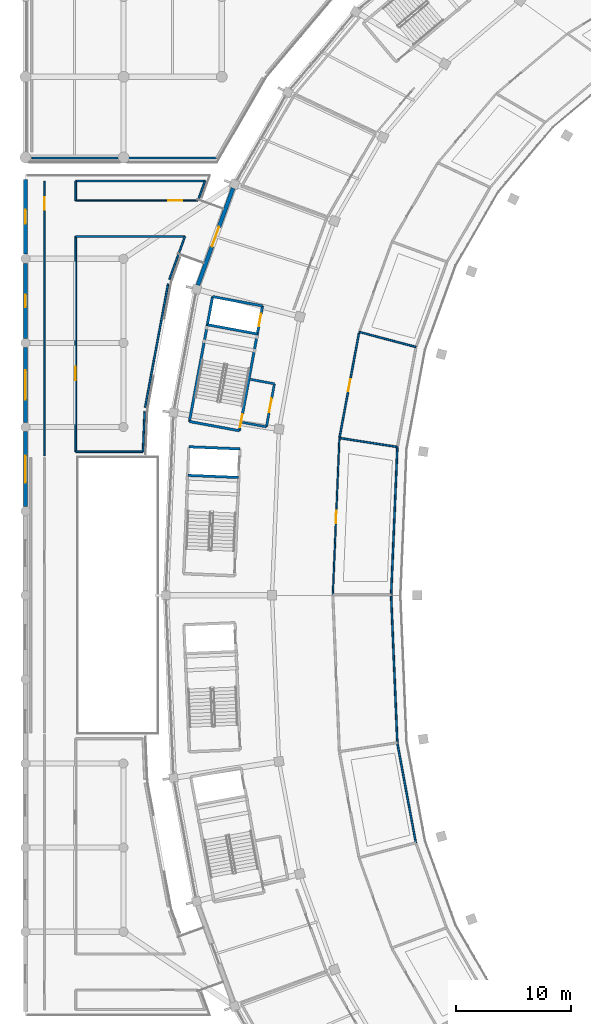
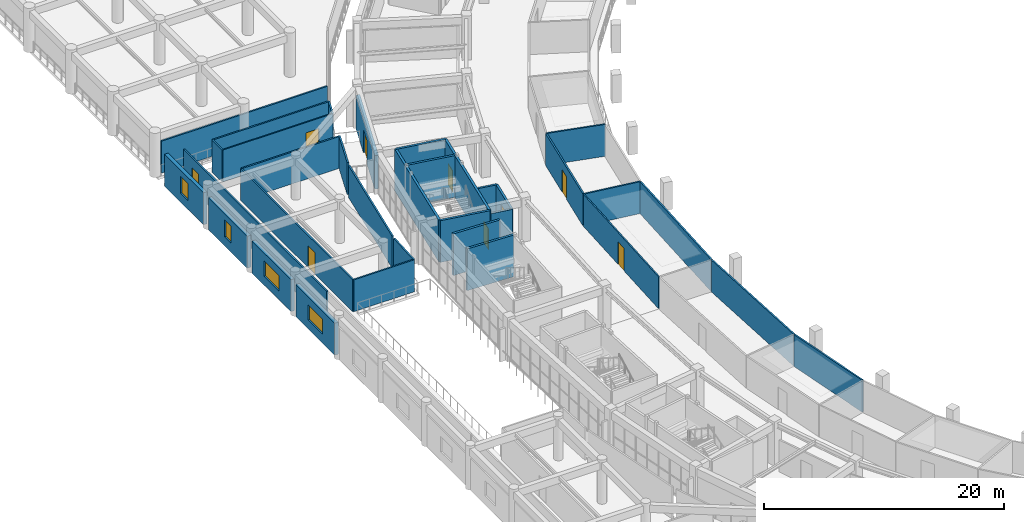
# One storey, part 95 of 141: 34 walls, 9 doors, 4 windows, 13 openings.
"""IFC4 building model written with IfcOpenShell, lengths in metres."""

import ifcopenshell
import ifcopenshell.guid

model = None  # the IFC model being written
_history = None  # IfcOwnerHistory: only IFC2X3 demands one
_inside = {}  # id of a spatial element -> (the spatial element, [elements in it])
_under = {}  # id of a project, library or spatial element -> (it, [spatial elements below it])
_declared = {}  # id of a project -> (the project, [libraries it declares])
_typed = {}  # id of a type object -> (the type object, [elements of that type])
_made_of = {}  # id of a material, layer set ... -> (it, [elements and type objects made of it])


def new_model(schema):
    """Start an empty IFC model of exactly this schema.

    Asked for "IFC4X3", IfcOpenShell would pick the latest addendum, in which some entities
    have other attributes; the version numbers below select the first issue.
    IFC2X3 requires an IfcOwnerHistory on every rooted entity: one is made here for all.
    """
    global model, _history
    if schema == "IFC4X3":
        model = ifcopenshell.file(schema_version=(4, 3, 0, 0))
    else:
        model = ifcopenshell.file(schema=schema)
    _inside.clear()
    _under.clear()
    _declared.clear()
    _typed.clear()
    _made_of.clear()
    _history = None
    if model.schema == "IFC2X3":
        org = make("IfcOrganization", Name="unknown")
        user = make(
            "IfcPersonAndOrganization",
            ThePerson=make("IfcPerson", FamilyName="unknown"),
            TheOrganization=org,
        )
        app = make(
            "IfcApplication",
            ApplicationDeveloper=org,
            Version="unknown",
            ApplicationFullName="unknown",
            ApplicationIdentifier="unknown",
        )
        _history = make(
            "IfcOwnerHistory",
            OwningUser=user,
            OwningApplication=app,
            ChangeAction="ADDED",
            CreationDate=0,
        )
    return model


def make(cls, **values):
    """One entity of the class cls with the attributes given. An attribute that is None is left unset."""
    return model.create_entity(
        cls, **{name: value for name, value in values.items() if value is not None}
    )


def rooted(cls, **values):
    """An entity with a GlobalId (a new one), such as an element, a storey or a relation."""
    return make(cls, GlobalId=ifcopenshell.guid.new(), OwnerHistory=_history, **values)


def si_unit(unit_type, name, prefix=None):
    """IfcSIUnit, for example si_unit("LENGTHUNIT", "METRE", prefix="MILLI")."""
    return make("IfcSIUnit", UnitType=unit_type, Prefix=prefix, Name=name)


def assignment(units):
    """IfcUnitAssignment: the units of a project."""
    return None if units is None else make("IfcUnitAssignment", Units=units)


def point(xyz):
    """IfcCartesianPoint."""
    return None if xyz is None else make("IfcCartesianPoint", Coordinates=xyz)


def direction(xyz):
    """IfcDirection."""
    return None if xyz is None else make("IfcDirection", DirectionRatios=xyz)


def frame(location, z_axis=None, x_axis=None):
    """IfcAxis2Placement3D, a coordinate frame: its origin and axes. An axis left out is left unset."""
    return make(
        "IfcAxis2Placement3D",
        Location=point(location),
        Axis=direction(z_axis),
        RefDirection=direction(x_axis),
    )


def frame_2d(location, x_axis=None):
    """IfcAxis2Placement2D, a coordinate frame in the plane: its origin and x axis."""
    return make(
        "IfcAxis2Placement2D", Location=point(location), RefDirection=direction(x_axis)
    )


def origin():
    """The frame at (0, 0, 0) with its axes left unset."""
    return frame((0.0, 0.0, 0.0))


def place(relative_to, where):
    """IfcLocalPlacement: puts the frame where relative to a parent placement (None: the world)."""
    return make(
        "IfcLocalPlacement", PlacementRelTo=relative_to, RelativePlacement=where
    )


def context(
    kind, dimensions, precision=None, world=None, true_north=None, identifier=None
):
    """IfcGeometricRepresentationContext, for example the 3D "Model" context."""
    return make(
        "IfcGeometricRepresentationContext",
        ContextIdentifier=identifier,
        ContextType=kind,
        CoordinateSpaceDimension=dimensions,
        Precision=precision,
        WorldCoordinateSystem=world,
        TrueNorth=true_north,
    )


def subcontext(parent, identifier, kind, view, scale=None):
    """IfcGeometricRepresentationSubContext, for example "Body" below "Model"."""
    return make(
        "IfcGeometricRepresentationSubContext",
        ContextIdentifier=identifier,
        ContextType=kind,
        ParentContext=parent,
        TargetScale=scale,
        TargetView=view,
    )


def project(units=None, contexts=None):
    """IfcProject with its units and contexts."""
    return rooted(
        "IfcProject",
        Name="project",
        RepresentationContexts=contexts,
        UnitsInContext=assignment(units),
    )


def spatial(cls, under=None, at=None, **own):
    """A site, building, storey or space (cls), placed at a placement, below another one or the project."""
    s = rooted(cls, ObjectPlacement=at, **own)
    if under is not None:
        _under.setdefault(under.id(), (under, []))[1].append(s)
    return s


def profile(cls, at=None, kind="AREA", **sizes):
    """A parametric profile (cls). Its sizes go by their IFC names, for example OverallWidth=200.0."""
    return make(cls, ProfileType=kind, Position=at, **sizes)


def rectangle(**sizes):
    """IfcRectangleProfileDef."""
    return profile("IfcRectangleProfileDef", **sizes)


def extrude(swept, where, along, depth):
    """IfcExtrudedAreaSolid: the profile swept, set in the frame where, extruded along a direction by depth."""
    return make(
        "IfcExtrudedAreaSolid",
        SweptArea=swept,
        Position=where,
        ExtrudedDirection=direction(along),
        Depth=depth,
    )


def shape(context_of_items, identifier, shape_type, items):
    """IfcShapeRepresentation: the items that make up one representation, for example the "Body"."""
    return make(
        "IfcShapeRepresentation",
        ContextOfItems=context_of_items,
        RepresentationIdentifier=identifier,
        RepresentationType=shape_type,
        Items=items,
    )


def material(Name=None, Category=None):
    """IfcMaterial."""
    return make("IfcMaterial", Name=Name, Category=Category)


def layer(
    of_material, thickness, ventilated=None, Name=None, Category=None, Priority=None
):
    """IfcMaterialLayer: one layer of a wall or slab, of a material (None: an air gap)."""
    return make(
        "IfcMaterialLayer",
        Material=of_material,
        LayerThickness=thickness,
        IsVentilated=ventilated,
        Name=Name,
        Category=Category,
        Priority=Priority,
    )


def layer_set(layers, Name=None):
    """IfcMaterialLayerSet."""
    return make("IfcMaterialLayerSet", MaterialLayers=layers, LayerSetName=Name)


def made_of(thing, what):
    """Note that an element or type object is made of a material, layer set ...; save() writes the relation."""
    if what is not None:
        _made_of.setdefault(what.id(), (what, []))[1].append(thing)
    return thing


def type_object(cls, material=None, **own):
    """A type object (cls), such as IfcWallType, which elements share."""
    return made_of(rooted(cls, **own), material)


def element(
    cls,
    number,
    at=None,
    inside=None,
    cuts=None,
    type_object=None,
    material=None,
    context=None,
    identifier="Body",
    shape_type=None,
    held_by="IfcProductDefinitionShape",
    body=None,
    shapes=None,
    **own,
):
    """One element of the class cls, such as IfcWall. Its Tag is "e" and its number.

    at: its placement. inside: the storey or other place that contains it. cuts: it is an
    opening in that element (IfcRelVoidsElement). A single representation is given by context,
    identifier, shape_type and body (its items); several are given by shapes. held_by: the class
    of the entity that holds the representations. save() writes the other relations.
    """
    e = rooted(cls, Tag="e%d" % number, ObjectPlacement=at, **own)
    if body is not None:
        shapes = [shape(context, identifier, shape_type, body)]
    if shapes is not None:
        e.Representation = make(held_by, Representations=shapes)
    if inside is not None:
        _inside.setdefault(inside.id(), (inside, []))[1].append(e)
    if cuts is not None:
        rooted(
            "IfcRelVoidsElement", RelatingBuildingElement=cuts, RelatedOpeningElement=e
        )
    if type_object is not None:
        _typed.setdefault(type_object.id(), (type_object, []))[1].append(e)
    return made_of(e, material)


def fill(opening, filler):
    """IfcRelFillsElement: the door or window that sits in an opening."""
    return rooted(
        "IfcRelFillsElement",
        RelatingOpeningElement=opening,
        RelatedBuildingElement=filler,
    )


def aggregate(whole, parts):
    """IfcRelAggregates: a whole, such as a stair, and the parts it consists of."""
    return rooted("IfcRelAggregates", RelatingObject=whole, RelatedObjects=parts)


def save(model, path):
    """Write the relations noted so far, then the file.

    IfcRelAggregates (storeys below a building ...), IfcRelContainedInSpatialStructure (elements
    in a storey), IfcRelDefinesByType, IfcRelAssociatesMaterial and IfcRelDeclares: one each for
    every whole, place, type object, material and project.
    """
    for whole, parts in _under.values():
        aggregate(whole, parts)
    for where, things in _inside.values():
        rooted(
            "IfcRelContainedInSpatialStructure",
            RelatedElements=things,
            RelatingStructure=where,
        )
    for kind, things in _typed.values():
        rooted("IfcRelDefinesByType", RelatedObjects=things, RelatingType=kind)
    for what, things in _made_of.values():
        rooted("IfcRelAssociatesMaterial", RelatedObjects=things, RelatingMaterial=what)
    for by, libraries in _declared.values():
        rooted("IfcRelDeclares", RelatingContext=by, RelatedDefinitions=libraries)
    model.write(path)


model = new_model("IFC4")

# Units and contexts
model_context = context("Model", 3, precision=1e-05, world=origin(), true_north=direction((0.0, 1.0)))
body_context = subcontext(model_context, "Body", "Model", "MODEL_VIEW")
ifc_project = project(units=[si_unit("LENGTHUNIT", "METRE"), si_unit("AREAUNIT", "SQUARE_METRE"), si_unit("VOLUMEUNIT", "CUBIC_METRE"), si_unit("PLANEANGLEUNIT", "RADIAN"), si_unit("MASSUNIT", "GRAM", prefix="KILO")], contexts=[model_context])

# Site, building, storey
site_placement = place(None, origin())
site = spatial("IfcSite", under=ifc_project, at=site_placement, CompositionType="ELEMENT")
building_placement = place(site_placement, origin())
building = spatial("IfcBuilding", under=site, at=building_placement, Name="Mphavela Belvedere Stadium", CompositionType="ELEMENT")
storey_placement = place(building_placement, frame((0.0, 0.0, 14.699951171875)))
storey = spatial("IfcBuildingStorey", under=building, at=storey_placement, Name="L03", CompositionType="ELEMENT", Elevation=14.699951171875)

# Walls
ifc_material_1 = material(Name="Concrete C40/50", Category="concrete")
ifc_layer_1 = layer(ifc_material_1, 0.219970703125)
ifc_layer_set_1 = layer_set([ifc_layer_1], Name="Concrete C40/50")
wall_type_1 = type_object("IfcWallType", Name="WAL-CORE-SHEAR-220", PredefinedType="SHEAR", material=ifc_layer_set_1)
wall_1_placement = place(storey_placement, frame((14.228271484375, 102.085205078125, 0.0), z_axis=(0.0, 0.0, 1.0), x_axis=(0.182574755222, 0.983191974517, 0.0)))
element("IfcWall", 1, at=wall_1_placement, inside=storey, type_object=wall_type_1, Name="Core C06 shear wall L03 rear", PredefinedType="SHEAR", context=body_context, shape_type="SweptSolid", body=[
    extrude(rectangle(XDim=11.02001953125, YDim=0.219970703125, at=frame_2d((5.510009765625, 0.0))), origin(), (0.0, 0.0, 1.0), 4.25),
])
for number, where, z_axis, x_axis, name in (
    (2, (18.56396484375, 101.27978515625, 0.0), (0.0, 0.0, 1.0), (-0.983179789985, 0.182640358532, 0.0), "Core C06 shear wall L03 left"),
    (3, (20.575927734375, 112.11474609375, 0.0), (0.0, 0.0, 1.0), (-0.983189729951, 0.18258684213, 0.0), "Core C06 shear wall L03 right"),
):
    element("IfcWall", number, at=place(storey_placement, frame(where, z_axis=z_axis, x_axis=x_axis)), inside=storey, type_object=wall_type_1, Name=name, PredefinedType="SHEAR", context=body_context, shape_type="SweptSolid", body=[
        extrude(rectangle(XDim=4.409912109375, YDim=0.219970703125, at=frame_2d((2.205078125, 0.0))), origin(), (0.0, 0.0, 1.0), 4.25),
    ])

# Wall, openings, doors
wall_2_placement = place(storey_placement, frame((18.56396484375, 101.27978515625, 0.0), z_axis=(0.0, 0.0, 1.0), x_axis=(0.182570778451, 0.983192712979, 0.0)))
wall_2 = element("IfcWall", 4, at=wall_2_placement, inside=storey, type_object=wall_type_1, Name="Core C06 shear wall L03 front", PredefinedType="SHEAR", context=body_context, shape_type="SweptSolid", body=[
    extrude(rectangle(XDim=11.020263671875, YDim=0.219970703125, at=frame_2d((5.51025390625, 0.0))), origin(), (0.0, 0.0, 1.0), 4.25),
])
opening_1_placement = place(wall_2_placement, frame((0.300048828125, 0.0, 0.0)))
opening_1 = element("IfcOpeningElement", 5, at=opening_1_placement, cuts=wall_2, Name="Opening SD-030", PredefinedType="OPENING", context=body_context, shape_type="SweptSolid", body=[
    extrude(rectangle(XDim=1.14990234375, YDim=2.14990234375, at=frame_2d((0.574951171875, 1.074951171875))), frame((0.0, 0.1201171875, 0.0), z_axis=(0.0, -1.0, 0.0), x_axis=(1.0, 0.0, 0.0)), (0.0, 0.0, 1.0), 0.239990234375),
])
opening_2_placement = place(wall_2_placement, frame((9.22998046875, 0.0, 0.0)))
opening_2 = element("IfcOpeningElement", 6, at=opening_2_placement, cuts=wall_2, Name="Opening LD-030", PredefinedType="OPENING", context=body_context, shape_type="SweptSolid", body=[
    extrude(rectangle(XDim=1.10009765625, YDim=2.14990234375, at=frame_2d((0.550048828125, 1.074951171875))), frame((0.0, 0.1201171875, 0.0), z_axis=(0.0, -1.0, 0.0), x_axis=(1.0, 0.0, 0.0)), (0.0, 0.0, 1.0), 0.239990234375),
])
ifc_material_2 = material(Name="Stainless steel center-parting lift landing door", Category="steel")
door_type_1 = type_object("IfcDoorType", Name="DR-LIFT-SLIDE-1100", OperationType="NOTDEFINED", PredefinedType="DOOR", material=ifc_material_2)
door_1_placement = place(opening_2_placement, origin())
door_1 = element("IfcDoor", 7, at=door_1_placement, inside=storey, type_object=door_type_1, Name="Lift landing sliding door FL03 L03", OperationType="DOUBLE_DOOR_SLIDING", OverallHeight=2.14990234375, OverallWidth=1.10009765625, PredefinedType="DOOR", context=body_context, shape_type="SweptSolid", body=[
    extrude(rectangle(XDim=1.10009765625, YDim=2.14990234375, at=frame_2d((0.550048828125, 1.074951171875))), frame((0.0, 0.02490234375, 0.0), z_axis=(0.0, -1.0, 0.0), x_axis=(1.0, 0.0, 0.0)), (0.0, 0.0, 1.0), 0.050048828125),
])
fill(opening_2, door_1)
ifc_material_3 = material(Name="Steel acoustic fire-resisting stair doorset", Category="steel")
door_type_2 = type_object("IfcDoorType", Name="DR-STAIR-FIRE-1150", OperationType="NOTDEFINED", PredefinedType="DOOR", material=ifc_material_3)
door_2_placement = place(opening_1_placement, origin())
door_2 = element("IfcDoor", 8, at=door_2_placement, inside=storey, type_object=door_type_2, Name="Escape stair fire door C06 L03", OperationType="SINGLE_SWING_LEFT", OverallHeight=2.14990234375, OverallWidth=1.14990234375, PredefinedType="DOOR", context=body_context, shape_type="SweptSolid", body=[
    extrude(rectangle(XDim=1.14990234375, YDim=2.14990234375, at=frame_2d((0.574951171875, 1.074951171875))), frame((0.0, 0.02490234375, 0.0), z_axis=(0.0, -1.0, 0.0), x_axis=(1.0, 0.0, 0.0)), (0.0, 0.0, 1.0), 0.050048828125),
])
fill(opening_1, door_2)

# Walls
for number, where, z_axis, x_axis, name in (
    (9, (20.123291015625, 109.676513671875, 0.0), (0.0, 0.0, 1.0), (-0.983201511677, 0.182523388739, 0.0), "Core C06 shear wall L03 div"),
    (10, (18.60498046875, 99.701171875, 0.0), (0.0, 0.0, 1.0), (-0.999123741114, 0.041853911912, 0.0), "Core C07 shear wall L03 right"),
    (11, (18.501220703125, 97.223388671875, 0.0), (0.0, 0.0, 1.0), (-0.999123741114, 0.041853911912, 0.0), "Core C07 shear wall L03 div"),
):
    element("IfcWall", number, at=place(storey_placement, frame(where, z_axis=z_axis, x_axis=x_axis)), inside=storey, type_object=wall_type_1, Name=name, PredefinedType="SHEAR", context=body_context, shape_type="SweptSolid", body=[
        extrude(rectangle(XDim=4.409912109375, YDim=0.219970703125, at=frame_2d((2.205078125, 0.0))), origin(), (0.0, 0.0, 1.0), 4.25),
    ])

# Wall, opening, door
ifc_material_4 = material(Name="Honed ashlar limestone masonry", Category="masonry")
ifc_layer_2 = layer(ifc_material_4, 0.35009765625)
ifc_layer_set_2 = layer_set([ifc_layer_2], Name="Honed ashlar limestone masonry")
wall_type_2 = type_object("IfcWallType", Name="WAL-EXT-ASHLAR-350", PredefinedType="STANDARD", material=ifc_layer_set_2)
wall_3_placement = place(storey_placement, frame((14.962646484375, 113.9130859375, 0.0), z_axis=(0.0, 0.0, 1.0), x_axis=(0.341014063491, 0.94005819421, 0.0)))
wall_3 = element("IfcWall", 12, at=wall_3_placement, inside=storey, type_object=wall_type_2, Name="Classical link portal wall L03-22", PredefinedType="STANDARD", context=body_context, shape_type="SweptSolid", body=[
    extrude(rectangle(XDim=8.95556640625, YDim=0.35009765625, at=frame_2d((4.477783203125, 0.0))), origin(), (0.0, 0.0, 1.0), 3.420166015625),
])
opening_3_placement = place(wall_3_placement, frame((3.57763671875, 0.0, 0.0)))
opening_3 = element("IfcOpeningElement", 13, at=opening_3_placement, cuts=wall_3, Name="Opening ID-9321", PredefinedType="OPENING", context=body_context, shape_type="SweptSolid", body=[
    extrude(rectangle(XDim=1.800048828125, YDim=2.39990234375, at=frame_2d((0.89990234375, 1.199951171875))), frame((0.0, 0.18505859375, 0.0), z_axis=(0.0, -1.0, 0.0), x_axis=(1.0, 0.0, 0.0)), (0.0, 0.0, 1.0), 0.3701171875),
])
ifc_material_5 = material(Name="Glazed bronze-anodised steel exit doorset", Category="steel")
door_type_3 = type_object("IfcDoorType", Name="DR-EXT-01", OperationType="NOTDEFINED", PredefinedType="DOOR", material=ifc_material_5)
door_3_placement = place(opening_3_placement, origin())
door_3 = element("IfcDoor", 14, at=door_3_placement, inside=storey, type_object=door_type_3, Name="Wing promenade link doorset L03-22", OperationType="DOUBLE_DOOR_SINGLE_SWING", OverallHeight=2.39990234375, OverallWidth=1.800048828125, PredefinedType="DOOR", context=body_context, shape_type="SweptSolid", body=[
    extrude(rectangle(XDim=1.800048828125, YDim=2.39990234375, at=frame_2d((0.89990234375, 1.199951171875))), frame((0.0, 0.02490234375, 0.0), z_axis=(0.0, -1.0, 0.0), x_axis=(1.0, 0.0, 0.0)), (0.0, 0.0, 1.0), 0.050048828125),
])
fill(opening_3, door_3)

# Wall, opening, window
wall_4_placement = place(storey_placement, frame((0.0, 94.697998046875, 0.0), z_axis=(0.0, 0.0, 1.0), x_axis=(0.0, 1.0, 0.0)))
wall_4 = element("IfcWall", 15, at=wall_4_placement, inside=storey, type_object=wall_type_2, Name="West Planted Eaves Peristyle Colonnade outer facade bay L03-07", PredefinedType="STANDARD", context=body_context, shape_type="SweptSolid", body=[
    extrude(rectangle(XDim=6.50390625, YDim=0.35009765625, at=frame_2d((3.251953125, 0.0))), origin(), (0.0, 0.0, 1.0), 3.260009765625),
])
opening_4_placement = place(wall_4_placement, frame((2.072021484375, 0.0, 0.89990234375)))
opening_4 = element("IfcOpeningElement", 16, at=opening_4_placement, cuts=wall_4, Name="Opening W-274", PredefinedType="OPENING", context=body_context, shape_type="SweptSolid", body=[
    extrude(rectangle(XDim=2.360107421875, YDim=1.550048828125, at=frame_2d((1.18017578125, 0.77490234375))), frame((0.0, 0.18505859375, 0.0), z_axis=(0.0, -1.0, 0.0), x_axis=(1.0, 0.0, 0.0)), (0.0, 0.0, 1.0), 0.3701171875),
])
ifc_material_6 = material(Name="Bronze-anodised thermally broken aluminium window", Category="aluminium")
window_type_1 = type_object("IfcWindowType", Name="WIN-EXT-10", PartitioningType="SINGLE_PANEL", PredefinedType="WINDOW", material=ifc_material_6)
window_1_placement = place(opening_4_placement, origin())
window_1 = element("IfcWindow", 17, at=window_1_placement, inside=storey, type_object=window_type_1, Name="West Planted Eaves Peristyle Colonnade classical window W-274", OverallHeight=1.550048828125, OverallWidth=2.360107421875, PartitioningType="SINGLE_PANEL", PredefinedType="WINDOW", context=body_context, shape_type="SweptSolid", body=[
    extrude(rectangle(XDim=2.360107421875, YDim=1.550048828125, at=frame_2d((1.18017578125, 0.77490234375))), frame((0.0, 0.030029296875, 0.0), z_axis=(0.0, -1.0, 0.0), x_axis=(1.0, 0.0, 0.0)), (0.0, 0.0, 1.0), 0.06005859375),
])
fill(opening_4, window_1)

wall_5_placement = place(storey_placement, frame((0.0, 101.998046875, 0.0), z_axis=(0.0, 0.0, 1.0), x_axis=(0.0, 1.0, 0.0)))
wall_5 = element("IfcWall", 18, at=wall_5_placement, inside=storey, type_object=wall_type_2, Name="West Planted Eaves Peristyle Colonnade outer facade bay L03-08", PredefinedType="STANDARD", context=body_context, shape_type="SweptSolid", body=[
    extrude(rectangle(XDim=6.50390625, YDim=0.35009765625, at=frame_2d((3.251953125, 0.0))), origin(), (0.0, 0.0, 1.0), 3.260009765625),
])
opening_5_placement = place(wall_5_placement, frame((1.991943359375, 0.0, 0.89990234375)))
opening_5 = element("IfcOpeningElement", 19, at=opening_5_placement, cuts=wall_5, Name="Opening W-275", PredefinedType="OPENING", context=body_context, shape_type="SweptSolid", body=[
    extrude(rectangle(XDim=2.52001953125, YDim=1.550048828125, at=frame_2d((1.260009765625, 0.77490234375))), frame((0.0, 0.18505859375, 0.0), z_axis=(0.0, -1.0, 0.0), x_axis=(1.0, 0.0, 0.0)), (0.0, 0.0, 1.0), 0.3701171875),
])
ifc_material_7 = material(Name="Bronze-anodised thermally broken aluminium window", Category="aluminium")
window_type_2 = type_object("IfcWindowType", Name="WIN-EXT-11", PartitioningType="SINGLE_PANEL", PredefinedType="WINDOW", material=ifc_material_7)
window_2_placement = place(opening_5_placement, origin())
window_2 = element("IfcWindow", 20, at=window_2_placement, inside=storey, type_object=window_type_2, Name="West Planted Eaves Peristyle Colonnade classical window W-275", OverallHeight=1.550048828125, OverallWidth=2.52001953125, PartitioningType="SINGLE_PANEL", PredefinedType="WINDOW", context=body_context, shape_type="SweptSolid", body=[
    extrude(rectangle(XDim=2.52001953125, YDim=1.550048828125, at=frame_2d((1.260009765625, 0.77490234375))), frame((0.0, 0.030029296875, 0.0), z_axis=(0.0, -1.0, 0.0), x_axis=(1.0, 0.0, 0.0)), (0.0, 0.0, 1.0), 0.06005859375),
])
fill(opening_5, window_2)

wall_6_placement = place(storey_placement, frame((0.0, 109.298095703125, 0.0), z_axis=(0.0, 0.0, 1.0), x_axis=(0.0, 1.0, 0.0)))
wall_6 = element("IfcWall", 21, at=wall_6_placement, inside=storey, type_object=wall_type_2, Name="West Planted Eaves Peristyle Colonnade outer facade bay L03-09", PredefinedType="STANDARD", context=body_context, shape_type="SweptSolid", body=[
    extrude(rectangle(XDim=6.50390625, YDim=0.35009765625, at=frame_2d((3.251953125, 0.0))), origin(), (0.0, 0.0, 1.0), 3.260009765625),
])
opening_6_placement = place(wall_6_placement, frame((2.701904296875, 0.0, 0.89990234375)))
opening_6 = element("IfcOpeningElement", 22, at=opening_6_placement, cuts=wall_6, Name="Opening W-276", PredefinedType="OPENING", context=body_context, shape_type="SweptSolid", body=[
    extrude(rectangle(XDim=1.10009765625, YDim=1.75, at=frame_2d((0.550048828125, 0.875))), frame((0.0, 0.18505859375, 0.0), z_axis=(0.0, -1.0, 0.0), x_axis=(1.0, 0.0, 0.0)), (0.0, 0.0, 1.0), 0.3701171875),
])
ifc_material_8 = material(Name="Bronze-anodised thermally broken aluminium window", Category="aluminium")
window_type_3 = type_object("IfcWindowType", Name="WIN-EXT-12", PartitioningType="SINGLE_PANEL", PredefinedType="WINDOW", material=ifc_material_8)
window_3_placement = place(opening_6_placement, origin())
window_3 = element("IfcWindow", 23, at=window_3_placement, inside=storey, type_object=window_type_3, Name="West Planted Eaves Peristyle Colonnade classical window W-276", OverallHeight=1.75, OverallWidth=1.10009765625, PartitioningType="SINGLE_PANEL", PredefinedType="WINDOW", context=body_context, shape_type="SweptSolid", body=[
    extrude(rectangle(XDim=1.10009765625, YDim=1.75, at=frame_2d((0.550048828125, 0.875))), frame((0.0, 0.030029296875, 0.0), z_axis=(0.0, -1.0, 0.0), x_axis=(1.0, 0.0, 0.0)), (0.0, 0.0, 1.0), 0.06005859375),
])
fill(opening_6, window_3)

wall_7_placement = place(storey_placement, frame((0.0, 116.597900390625, 0.0), z_axis=(0.0, 0.0, 1.0), x_axis=(0.0, 1.0, 0.0)))
wall_7 = element("IfcWall", 24, at=wall_7_placement, inside=storey, type_object=wall_type_2, Name="West Planted Eaves Peristyle Colonnade outer facade bay L03-10", PredefinedType="STANDARD", context=body_context, shape_type="SweptSolid", body=[
    extrude(rectangle(XDim=6.504150390625, YDim=0.35009765625, at=frame_2d((3.251953125, 0.0))), origin(), (0.0, 0.0, 1.0), 3.260009765625),
])
opening_7_placement = place(wall_7_placement, frame((2.632080078125, 0.0, 0.89990234375)))
opening_7 = element("IfcOpeningElement", 25, at=opening_7_placement, cuts=wall_7, Name="Opening W-277", PredefinedType="OPENING", context=body_context, shape_type="SweptSolid", body=[
    extrude(rectangle(XDim=1.239990234375, YDim=1.75, at=frame_2d((0.6201171875, 0.875))), frame((0.0, 0.18505859375, 0.0), z_axis=(0.0, -1.0, 0.0), x_axis=(1.0, 0.0, 0.0)), (0.0, 0.0, 1.0), 0.3701171875),
])
ifc_material_9 = material(Name="Bronze-anodised thermally broken aluminium window", Category="aluminium")
window_type_4 = type_object("IfcWindowType", Name="WIN-EXT-13", PartitioningType="SINGLE_PANEL", PredefinedType="WINDOW", material=ifc_material_9)
window_4_placement = place(opening_7_placement, origin())
window_4 = element("IfcWindow", 26, at=window_4_placement, inside=storey, type_object=window_type_4, Name="West Planted Eaves Peristyle Colonnade classical window W-277", OverallHeight=1.75, OverallWidth=1.239990234375, PartitioningType="SINGLE_PANEL", PredefinedType="WINDOW", context=body_context, shape_type="SweptSolid", body=[
    extrude(rectangle(XDim=1.239990234375, YDim=1.75, at=frame_2d((0.6201171875, 0.875))), frame((0.0, 0.030029296875, 0.0), z_axis=(0.0, -1.0, 0.0), x_axis=(1.0, 0.0, 0.0)), (0.0, 0.0, 1.0), 0.06005859375),
])
fill(opening_7, window_4)

# Wall, opening, door
ifc_material_10 = material(Name="Moisture-resistant sanitary partition assembly")
ifc_layer_3 = layer(ifc_material_10, 0.125)
ifc_layer_set_3 = layer_set([ifc_layer_3], Name="Moisture-resistant sanitary partition assembly")
wall_type_3 = type_object("IfcWallType", Name="WAL-PART-125", PredefinedType="PARTITIONING", material=ifc_layer_set_3)
wall_8_placement = place(storey_placement, frame((26.6748046875, 87.0400390625, 0.0), z_axis=(0.0, 0.0, 1.0), x_axis=(0.041894479342, 0.999122040894, 0.0)))
wall_8 = element("IfcWall", 27, at=wall_8_placement, inside=storey, type_object=wall_type_3, Name="Room L03-96 corridor partition", PredefinedType="PARTITIONING", context=body_context, shape_type="SweptSolid", body=[
    extrude(rectangle(XDim=13.543212890625, YDim=0.125, at=frame_2d((6.771484375, 0.0))), origin(), (0.0, 0.0, 1.0), 3.25),
])
opening_8_placement = place(wall_8_placement, frame((6.2216796875, 0.0, 0.0)))
opening_8 = element("IfcOpeningElement", 28, at=opening_8_placement, cuts=wall_8, Name="Opening ID-282", PredefinedType="OPENING", context=body_context, shape_type="SweptSolid", body=[
    extrude(rectangle(XDim=1.10009765625, YDim=2.300048828125, at=frame_2d((0.550048828125, 1.14990234375))), frame((0.0, 0.072509765625, 0.0), z_axis=(0.0, -1.0, 0.0), x_axis=(1.0, 0.0, 0.0)), (0.0, 0.0, 1.0), 0.14501953125),
])
ifc_material_11 = material(Name="Hardwood acoustic timber doorset", Category="wood")
door_type_4 = type_object("IfcDoorType", Name="DR-INT-30", OperationType="NOTDEFINED", PredefinedType="DOOR", material=ifc_material_11)
door_4_placement = place(opening_8_placement, origin())
door_4 = element("IfcDoor", 29, at=door_4_placement, inside=storey, type_object=door_type_4, Name="Room L03-96 entrance door ID-282", OperationType="SINGLE_SWING_RIGHT", OverallHeight=2.300048828125, OverallWidth=1.10009765625, PredefinedType="DOOR", context=body_context, shape_type="SweptSolid", body=[
    extrude(rectangle(XDim=1.10009765625, YDim=2.300048828125, at=frame_2d((0.550048828125, 1.14990234375))), frame((0.0, 0.02490234375, 0.0), z_axis=(0.0, -1.0, 0.0), x_axis=(1.0, 0.0, 0.0)), (0.0, 0.0, 1.0), 0.050048828125),
])
fill(opening_8, door_4)

wall_9_placement = place(storey_placement, frame((14.968505859375, 121.260009765625, 0.0), z_axis=(0.0, 0.0, 1.0), x_axis=(-1.0, 0.0, 0.0)))
wall_9 = element("IfcWall", 30, at=wall_9_placement, inside=storey, type_object=wall_type_3, Name="Room L03-199 corridor partition", PredefinedType="PARTITIONING", context=body_context, shape_type="SweptSolid", body=[
    extrude(rectangle(XDim=10.6083984375, YDim=0.125, at=frame_2d((5.30419921875, 0.0))), origin(), (0.0, 0.0, 1.0), 3.25),
])
opening_9_placement = place(wall_9_placement, frame((1.369873046875, 0.0, 0.0)))
opening_9 = element("IfcOpeningElement", 31, at=opening_9_placement, cuts=wall_9, Name="Opening ID-525", PredefinedType="OPENING", context=body_context, shape_type="SweptSolid", body=[
    extrude(rectangle(XDim=1.219970703125, YDim=2.199951171875, at=frame_2d((0.60986328125, 1.10009765625))), frame((0.0, 0.072509765625, 0.0), z_axis=(0.0, -1.0, 0.0), x_axis=(1.0, 0.0, 0.0)), (0.0, 0.0, 1.0), 0.14501953125),
])
ifc_material_12 = material(Name="Hardwood acoustic timber doorset", Category="wood")
door_type_5 = type_object("IfcDoorType", Name="DR-INT-21", OperationType="NOTDEFINED", PredefinedType="DOOR", material=ifc_material_12)
door_5_placement = place(opening_9_placement, origin())
door_5 = element("IfcDoor", 32, at=door_5_placement, inside=storey, type_object=door_type_5, Name="Room L03-199 entrance door ID-525", OperationType="SINGLE_SWING_LEFT", OverallHeight=2.199951171875, OverallWidth=1.219970703125, PredefinedType="DOOR", context=body_context, shape_type="SweptSolid", body=[
    extrude(rectangle(XDim=1.219970703125, YDim=2.199951171875, at=frame_2d((0.60986328125, 1.10009765625))), frame((0.0, 0.02490234375, 0.0), z_axis=(0.0, -1.0, 0.0), x_axis=(1.0, 0.0, 0.0)), (0.0, 0.0, 1.0), 0.050048828125),
])
fill(opening_9, door_5)

ifc_material_13 = material(Name="Acoustic gypsum stud partition assembly")
ifc_layer_4 = layer(ifc_material_13, 0.14990234375)
ifc_layer_set_4 = layer_set([ifc_layer_4], Name="Acoustic gypsum stud partition assembly")
wall_type_4 = type_object("IfcWallType", Name="WAL-PART-150", PredefinedType="PARTITIONING", material=ifc_layer_set_4)
wall_10_placement = place(storey_placement, frame((27.251220703125, 100.65087890625, 0.0), z_axis=(0.0, 0.0, 1.0), x_axis=(0.182600545941, 0.983187184936, 0.0)))
wall_10 = element("IfcWall", 33, at=wall_10_placement, inside=storey, type_object=wall_type_4, Name="Room L03-94 corridor partition", PredefinedType="PARTITIONING", context=body_context, shape_type="SweptSolid", body=[
    extrude(rectangle(XDim=9.2841796875, YDim=0.14990234375, at=frame_2d((4.64208984375, 0.0))), origin(), (0.0, 0.0, 1.0), 3.25),
])
opening_10_placement = place(wall_10_placement, frame((4.112060546875, 0.0, 0.0)))
opening_10 = element("IfcOpeningElement", 34, at=opening_10_placement, cuts=wall_10, Name="Opening ID-281", PredefinedType="OPENING", context=body_context, shape_type="SweptSolid", body=[
    extrude(rectangle(XDim=1.06005859375, YDim=2.300048828125, at=frame_2d((0.530029296875, 1.14990234375))), frame((0.0, 0.0849609375, 0.0), z_axis=(0.0, -1.0, 0.0), x_axis=(1.0, 0.0, 0.0)), (0.0, 0.0, 1.0), 0.169921875),
])
ifc_material_14 = material(Name="Hardwood acoustic timber doorset", Category="wood")
door_type_6 = type_object("IfcDoorType", Name="DR-INT-29", OperationType="NOTDEFINED", PredefinedType="DOOR", material=ifc_material_14)
door_6_placement = place(opening_10_placement, origin())
door_6 = element("IfcDoor", 35, at=door_6_placement, inside=storey, type_object=door_type_6, Name="Room L03-94 entrance door ID-281", OperationType="SINGLE_SWING_LEFT", OverallHeight=2.300048828125, OverallWidth=1.06005859375, PredefinedType="DOOR", context=body_context, shape_type="SweptSolid", body=[
    extrude(rectangle(XDim=1.06005859375, YDim=2.300048828125, at=frame_2d((0.530029296875, 1.14990234375))), frame((0.0, 0.02490234375, 0.0), z_axis=(0.0, -1.0, 0.0), x_axis=(1.0, 0.0, 0.0)), (0.0, 0.0, 1.0), 0.050048828125),
])
fill(opening_10, door_6)

wall_11_placement = place(storey_placement, frame((1.639892578125, 122.949951171875, 0.0), z_axis=(0.0, 0.0, 1.0), x_axis=(0.0, -1.0, 0.0)))
wall_11 = element("IfcWall", 36, at=wall_11_placement, inside=storey, type_object=wall_type_4, Name="Room L03-195 corridor partition", PredefinedType="PARTITIONING", context=body_context, shape_type="SweptSolid", body=[
    extrude(rectangle(XDim=23.833251953125, YDim=0.14990234375, at=frame_2d((11.91650390625, 0.0))), origin(), (0.0, 0.0, 1.0), 3.25),
])
opening_11_placement = place(wall_11_placement, frame((1.4267578125, 0.0, 0.0)))
opening_11 = element("IfcOpeningElement", 37, at=opening_11_placement, cuts=wall_11, Name="Opening ID-521", PredefinedType="OPENING", context=body_context, shape_type="SweptSolid", body=[
    extrude(rectangle(XDim=1.06005859375, YDim=2.199951171875, at=frame_2d((0.530029296875, 1.10009765625))), frame((0.0, 0.0849609375, 0.0), z_axis=(0.0, -1.0, 0.0), x_axis=(1.0, 0.0, 0.0)), (0.0, 0.0, 1.0), 0.169921875),
])
ifc_material_15 = material(Name="Hardwood acoustic timber doorset", Category="wood")
door_type_7 = type_object("IfcDoorType", Name="DR-INT-17", OperationType="NOTDEFINED", PredefinedType="DOOR", material=ifc_material_15)
door_7_placement = place(opening_11_placement, origin())
door_7 = element("IfcDoor", 38, at=door_7_placement, inside=storey, type_object=door_type_7, Name="Room L03-195 entrance door ID-521", OperationType="SINGLE_SWING_LEFT", OverallHeight=2.199951171875, OverallWidth=1.06005859375, PredefinedType="DOOR", context=body_context, shape_type="SweptSolid", body=[
    extrude(rectangle(XDim=1.06005859375, YDim=2.199951171875, at=frame_2d((0.530029296875, 1.10009765625))), frame((0.0, 0.02490234375, 0.0), z_axis=(0.0, -1.0, 0.0), x_axis=(1.0, 0.0, 0.0)), (0.0, 0.0, 1.0), 0.050048828125),
])
fill(opening_11, door_7)

wall_12_placement = place(storey_placement, frame((4.360107421875, 99.449951171875, 0.0), z_axis=(0.0, 0.0, 1.0), x_axis=(0.0, 1.0, 0.0)))
wall_12 = element("IfcWall", 39, at=wall_12_placement, inside=storey, type_object=wall_type_4, Name="Room L03-198 corridor partition", PredefinedType="PARTITIONING", context=body_context, shape_type="SweptSolid", body=[
    extrude(rectangle(XDim=18.68994140625, YDim=0.14990234375, at=frame_2d((9.344970703125, 0.0))), origin(), (0.0, 0.0, 1.0), 3.25),
])
opening_12_placement = place(wall_12_placement, frame((6.224609375, 0.0, 0.0)))
opening_12 = element("IfcOpeningElement", 40, at=opening_12_placement, cuts=wall_12, Name="Opening ID-524", PredefinedType="OPENING", context=body_context, shape_type="SweptSolid", body=[
    extrude(rectangle(XDim=1.179931640625, YDim=2.199951171875, at=frame_2d((0.58984375, 1.10009765625))), frame((0.0, 0.0849609375, 0.0), z_axis=(0.0, -1.0, 0.0), x_axis=(1.0, 0.0, 0.0)), (0.0, 0.0, 1.0), 0.169921875),
])
ifc_material_16 = material(Name="Hardwood acoustic timber doorset", Category="wood")
door_type_8 = type_object("IfcDoorType", Name="DR-INT-20", OperationType="NOTDEFINED", PredefinedType="DOOR", material=ifc_material_16)
door_8_placement = place(opening_12_placement, origin())
door_8 = element("IfcDoor", 41, at=door_8_placement, inside=storey, type_object=door_type_8, Name="Room L03-198 entrance door ID-524", OperationType="SINGLE_SWING_RIGHT", OverallHeight=2.199951171875, OverallWidth=1.179931640625, PredefinedType="DOOR", context=body_context, shape_type="SweptSolid", body=[
    extrude(rectangle(XDim=1.179931640625, YDim=2.199951171875, at=frame_2d((0.58984375, 1.10009765625))), frame((0.0, 0.02490234375, 0.0), z_axis=(0.0, -1.0, 0.0), x_axis=(1.0, 0.0, 0.0)), (0.0, 0.0, 1.0), 0.050048828125),
])
fill(opening_12, door_8)

# Walls
wall_13_placement = place(storey_placement, frame((33.898193359375, 108.548583984375, 0.0), z_axis=(0.0, 0.0, 1.0), x_axis=(-0.966586731076, 0.256339796576, 0.0)))
element("IfcWall", 42, at=wall_13_placement, inside=storey, type_object=wall_type_4, Name="Room divider partition L03-0504", PredefinedType="PARTITIONING", context=body_context, shape_type="SweptSolid", body=[
    extrude(rectangle(XDim=5.10107421875, YDim=0.14990234375, at=frame_2d((2.550537109375, 0.0))), origin(), (0.0, 0.0, 1.0), 3.25),
])
wall_14_placement = place(storey_placement, frame((32.27978515625, 99.87109375, 0.0), z_axis=(0.0, 0.0, 1.0), x_axis=(-0.988189064654, 0.15323959181, 0.0)))
element("IfcWall", 43, at=wall_14_placement, inside=storey, type_object=wall_type_4, Name="Room divider partition L03-0506", PredefinedType="PARTITIONING", context=body_context, shape_type="SweptSolid", body=[
    extrude(rectangle(XDim=5.088623046875, YDim=0.14990234375, at=frame_2d((2.54443359375, 0.0))), origin(), (0.0, 0.0, 1.0), 3.25),
])
for number, where, z_axis, x_axis, name in (
    (44, (32.2705078125, 99.79150390625, 0.0), (0.0, 0.0, 1.0), (-0.04191221065, -0.99912129724, 0.0), "Room divider partition L03-0507"),
    (45, (31.735595703125, 86.9599609375, 0.0), (0.0, 0.0, 1.0), (0.04191221065, -0.99912129724, 0.0), "Room divider partition L03-0509"),
):
    element("IfcWall", number, at=place(storey_placement, frame(where, z_axis=z_axis, x_axis=x_axis)), inside=storey, type_object=wall_type_4, Name=name, PredefinedType="PARTITIONING", context=body_context, shape_type="SweptSolid", body=[
        extrude(rectangle(XDim=12.7626953125, YDim=0.14990234375, at=frame_2d((6.38134765625, 0.0))), origin(), (0.0, 0.0, 1.0), 3.25),
    ])
wall_15_placement = place(storey_placement, frame((32.27978515625, 74.12890625, 0.0), z_axis=(0.0, 0.0, 1.0), x_axis=(0.18261493362, -0.983184512703, 0.0)))
element("IfcWall", 46, at=wall_15_placement, inside=storey, type_object=wall_type_4, Name="Room divider partition L03-0511", PredefinedType="PARTITIONING", context=body_context, shape_type="SweptSolid", body=[
    extrude(rectangle(XDim=8.747314453125, YDim=0.14990234375, at=frame_2d((4.37353515625, 0.0))), origin(), (0.0, 0.0, 1.0), 3.25),
])
wall_16_placement = place(storey_placement, frame((16.5673828125, 124.949951171875, 0.0), z_axis=(0.0, 0.0, 1.0), x_axis=(-1.0, 0.0, 0.0)))
element("IfcWall", 47, at=wall_16_placement, inside=storey, type_object=wall_type_4, Name="Room divider partition L03-1042", PredefinedType="PARTITIONING", context=body_context, shape_type="SweptSolid", body=[
    extrude(rectangle(XDim=16.017333984375, YDim=0.14990234375, at=frame_2d((8.0087890625, 0.0))), origin(), (0.0, 0.0, 1.0), 3.25),
])
wall_17_placement = place(storey_placement, frame((12.37744140625, 114.01904296875, 0.0), z_axis=(0.0, 0.0, 1.0), x_axis=(-0.182620957058, -0.983183393901, 0.0)))
element("IfcWall", 48, at=wall_17_placement, inside=storey, type_object=wall_type_4, Name="Room divider partition L03-1193", PredefinedType="PARTITIONING", context=body_context, shape_type="SweptSolid", body=[
    extrude(rectangle(XDim=10.90087890625, YDim=0.14990234375, at=frame_2d((5.450439453125, 0.0))), origin(), (0.0, 0.0, 1.0), 3.25),
])
wall_18_placement = place(storey_placement, frame((10.3466796875, 102.94970703125, 0.0), z_axis=(0.0, 0.0, 1.0), x_axis=(-0.041888559174, -0.999122289117, 0.0)))
element("IfcWall", 49, at=wall_18_placement, inside=storey, type_object=wall_type_4, Name="Room divider partition L03-1194", PredefinedType="PARTITIONING", context=body_context, shape_type="SweptSolid", body=[
    extrude(rectangle(XDim=3.5029296875, YDim=0.14990234375, at=frame_2d((1.75146484375, 0.0))), origin(), (0.0, 0.0, 1.0), 3.25),
])
wall_19_placement = place(storey_placement, frame((10.199951171875, 99.449951171875, 0.0), z_axis=(0.0, 0.0, 1.0), x_axis=(-1.0, 0.0, 0.0)))
element("IfcWall", 50, at=wall_19_placement, inside=storey, type_object=wall_type_4, Name="Room divider partition L03-1195", PredefinedType="PARTITIONING", context=body_context, shape_type="SweptSolid", body=[
    extrude(rectangle(XDim=5.83984375, YDim=0.14990234375, at=frame_2d((2.919921875, 0.0))), origin(), (0.0, 0.0, 1.0), 3.25),
])
wall_20_placement = place(storey_placement, frame((4.360107421875, 118.139892578125, 0.0), z_axis=(0.0, 0.0, 1.0), x_axis=(1.0, 0.0, 0.0)))
element("IfcWall", 51, at=wall_20_placement, inside=storey, type_object=wall_type_4, Name="Room divider partition L03-1196", PredefinedType="PARTITIONING", context=body_context, shape_type="SweptSolid", body=[
    extrude(rectangle(XDim=9.4765625, YDim=0.14990234375, at=frame_2d((4.73828125, 0.0))), origin(), (0.0, 0.0, 1.0), 3.25),
])
wall_21_placement = place(storey_placement, frame((13.836669921875, 118.139892578125, 0.0), z_axis=(0.0, 0.0, 1.0), x_axis=(-0.341035525383, -0.94005040845, 0.0)))
element("IfcWall", 52, at=wall_21_placement, inside=storey, type_object=wall_type_4, Name="Room divider partition L03-1197", PredefinedType="PARTITIONING", context=body_context, shape_type="SweptSolid", body=[
    extrude(rectangle(XDim=3.96240234375, YDim=0.14990234375, at=frame_2d((1.981201171875, 0.0))), origin(), (0.0, 0.0, 1.0), 3.25),
])
wall_22_placement = place(storey_placement, frame((4.360107421875, 122.949951171875, 0.0), z_axis=(0.0, 0.0, 1.0), x_axis=(1.0, 0.0, 0.0)))
element("IfcWall", 53, at=wall_22_placement, inside=storey, type_object=wall_type_4, Name="Room divider partition L03-1198", PredefinedType="PARTITIONING", context=body_context, shape_type="SweptSolid", body=[
    extrude(rectangle(XDim=11.221435546875, YDim=0.14990234375, at=frame_2d((5.61083984375, 0.0))), origin(), (0.0, 0.0, 1.0), 3.25),
])
wall_23_placement = place(storey_placement, frame((15.58154296875, 122.949951171875, 0.0), z_axis=(0.0, 0.0, 1.0), x_axis=(-0.341012375502, -0.940058806541, 0.0)))
element("IfcWall", 54, at=wall_23_placement, inside=storey, type_object=wall_type_4, Name="Room divider partition L03-1199", PredefinedType="PARTITIONING", context=body_context, shape_type="SweptSolid", body=[
    extrude(rectangle(XDim=1.797607421875, YDim=0.14990234375, at=frame_2d((0.89892578125, 0.0))), origin(), (0.0, 0.0, 1.0), 3.25),
])
wall_24_placement = place(storey_placement, frame((4.360107421875, 121.260009765625, 0.0), z_axis=(0.0, 0.0, 1.0), x_axis=(0.0, 1.0, 0.0)))
element("IfcWall", 55, at=wall_24_placement, inside=storey, type_object=wall_type_4, Name="Room divider partition L03-1200", PredefinedType="PARTITIONING", context=body_context, shape_type="SweptSolid", body=[
    extrude(rectangle(XDim=1.68994140625, YDim=0.14990234375, at=frame_2d((0.844970703125, 0.0))), origin(), (0.0, 0.0, 1.0), 3.25),
])

# Wall, opening, door
ifc_material_17 = material(Name="Fire-rated calcium silicate partition assembly")
ifc_layer_5 = layer(ifc_material_17, 0.199951171875)
ifc_layer_set_5 = layer_set([ifc_layer_5], Name="Fire-rated calcium silicate partition assembly")
wall_type_5 = type_object("IfcWallType", Name="WAL-PART-FF-200", PredefinedType="PARTITIONING", material=ifc_layer_set_5)
wall_25_placement = place(storey_placement, frame((20.909912109375, 101.6171875, 0.0), z_axis=(0.0, 0.0, 1.0), x_axis=(0.18258154775, 0.983190713148, 0.0)))
wall_25 = element("IfcWall", 56, at=wall_25_placement, inside=storey, type_object=wall_type_5, Name="Firefighting lobby front wall C06 L03", PredefinedType="PARTITIONING", context=body_context, shape_type="SweptSolid", body=[
    extrude(rectangle(XDim=3.80029296875, YDim=0.199951171875, at=frame_2d((1.900146484375, 0.0))), origin(), (0.0, 0.0, 1.0), 3.35009765625),
])
opening_13_placement = place(wall_25_placement, frame((1.300048828125, 0.0, 0.0)))
opening_13 = element("IfcOpeningElement", 57, at=opening_13_placement, cuts=wall_25, Name="Opening FD-014", PredefinedType="OPENING", context=body_context, shape_type="SweptSolid", body=[
    extrude(rectangle(XDim=1.199951171875, YDim=2.179931640625, at=frame_2d((0.60009765625, 1.08984375))), frame((0.0, 0.10986328125, 0.0), z_axis=(0.0, -1.0, 0.0), x_axis=(1.0, 0.0, 0.0)), (0.0, 0.0, 1.0), 0.219970703125),
])
ifc_material_18 = material(Name="Steel smoke-sealed firefighting lobby doorset", Category="steel")
door_type_9 = type_object("IfcDoorType", Name="DR-FF-LOBBY-1200", OperationType="NOTDEFINED", PredefinedType="DOOR", material=ifc_material_18)
door_9_placement = place(opening_13_placement, origin())
door_9 = element("IfcDoor", 58, at=door_9_placement, inside=storey, type_object=door_type_9, Name="Firefighting lobby door C06 L03", OperationType="SINGLE_SWING_RIGHT", OverallHeight=2.179931640625, OverallWidth=1.199951171875, PredefinedType="DOOR", context=body_context, shape_type="SweptSolid", body=[
    extrude(rectangle(XDim=1.199951171875, YDim=2.179931640625, at=frame_2d((0.60009765625, 1.08984375))), frame((0.0, 0.02490234375, 0.0), z_axis=(0.0, -1.0, 0.0), x_axis=(1.0, 0.0, 0.0)), (0.0, 0.0, 1.0), 0.050048828125),
])
fill(opening_13, door_9)

# Walls
for number, where, z_axis, x_axis, name in (
    (59, (20.909912109375, 101.6171875, 0.0), (0.0, 0.0, 1.0), (-0.983177215189, 0.182654218495, 0.0), "Firefighting lobby side wall L C06 L03"),
    (60, (21.603759765625, 105.353515625, 0.0), (0.0, 0.0, 1.0), (-0.983197891107, 0.182542890641, 0.0), "Firefighting lobby side wall R C06 L03"),
):
    element("IfcWall", number, at=place(storey_placement, frame(where, z_axis=z_axis, x_axis=x_axis)), inside=storey, type_object=wall_type_5, Name=name, PredefinedType="PARTITIONING", context=body_context, shape_type="SweptSolid", body=[
        extrude(rectangle(XDim=2.119873046875, YDim=0.199951171875, at=frame_2d((1.06005859375, 0.0))), origin(), (0.0, 0.0, 1.0), 3.35009765625),
    ])

save(model, "model.ifc")
